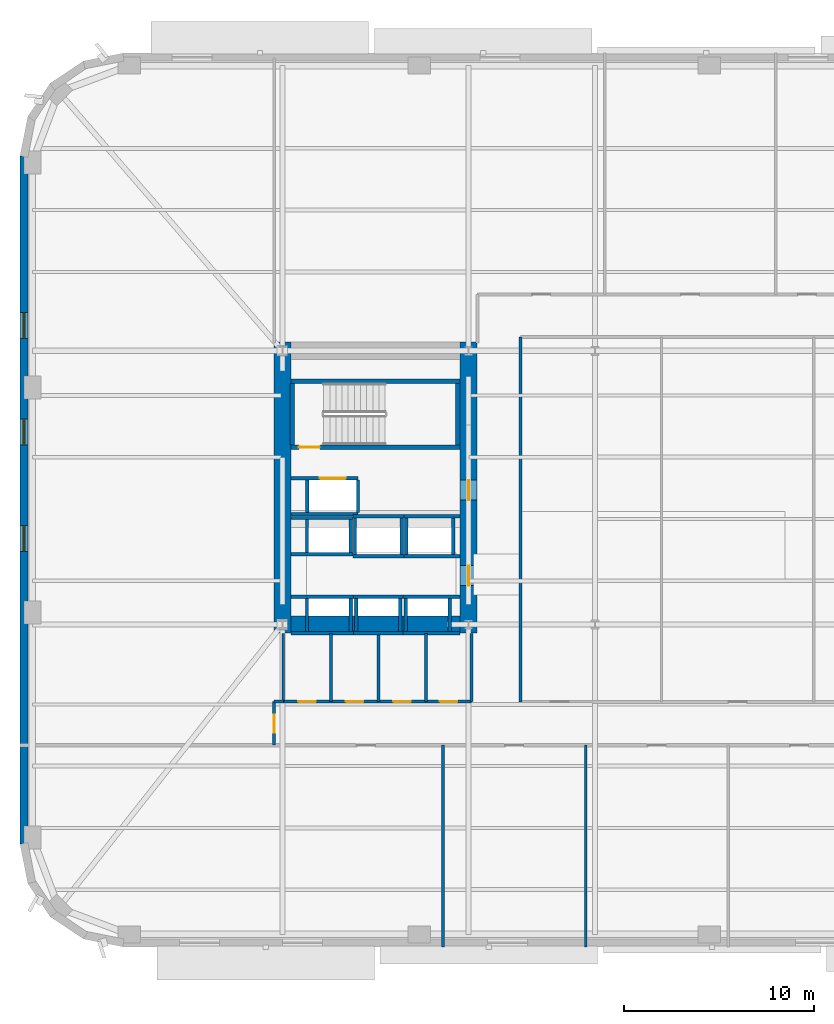
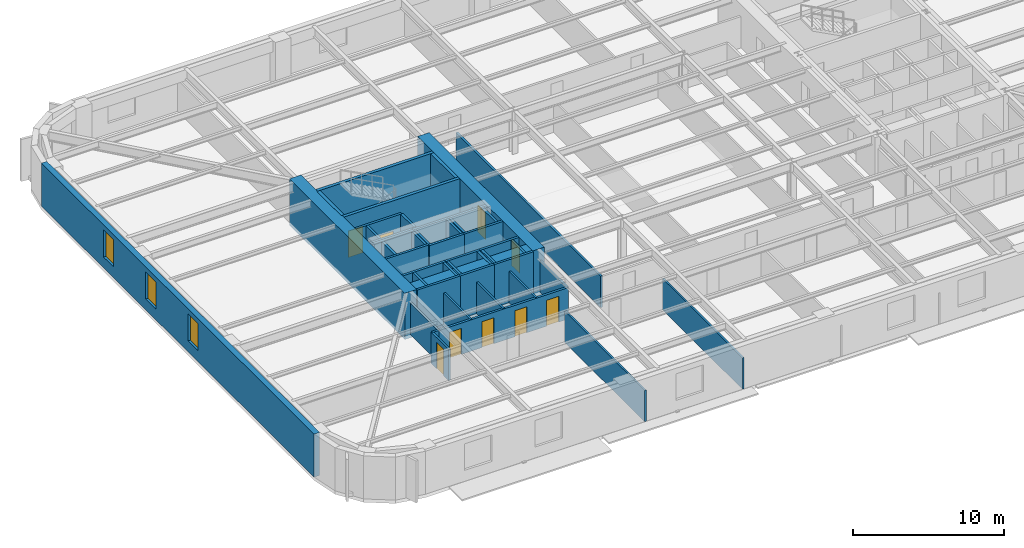
# One storey, part 4 of 15: 47 walls, 9 doors, 3 windows, 12 openings.
"""IFC4 building model written with IfcOpenShell, lengths in metres."""

from ifc_helpers import new_model, si_unit, direction, frame, frame_2d, origin, place, context, subcontext, project, spatial, rectangle, extrude, material, layer, layer_set, type_object, element, fill, save


model = new_model("IFC4")

# Units and contexts
model_context = context("Model", 3, precision=1e-05, world=origin(), true_north=direction((0.0, 1.0)))
body_context = subcontext(model_context, "Body", "Model", "MODEL_VIEW")
ifc_project = project(units=[si_unit("LENGTHUNIT", "METRE"), si_unit("AREAUNIT", "SQUARE_METRE"), si_unit("VOLUMEUNIT", "CUBIC_METRE"), si_unit("PLANEANGLEUNIT", "RADIAN"), si_unit("MASSUNIT", "GRAM", prefix="KILO")], contexts=[model_context])

# Site, building, storey
site_placement = place(None, origin())
site = spatial("IfcSite", under=ifc_project, at=site_placement, CompositionType="ELEMENT")
building_placement = place(site_placement, origin())
building = spatial("IfcBuilding", under=site, at=building_placement, Name="Kolvaren Arena Tower", CompositionType="ELEMENT")
storey_placement = place(building_placement, frame((0.0, 0.0, 72.0)))
storey = spatial("IfcBuildingStorey", under=building, at=storey_placement, Name="L15", CompositionType="ELEMENT", Elevation=72.0)

# Wall
ifc_material_1 = material(Name="Gypsum board acoustic assembly", Category="gypsum")
ifc_layer_1 = layer(ifc_material_1, 0.159912109375)
ifc_layer_set_1 = layer_set([ifc_layer_1], Name="Gypsum board acoustic assembly")
wall_type_1 = type_object("IfcWallType", Name="CORR-160", PredefinedType="PARTITIONING", material=ifc_layer_set_1)
wall_1_placement = place(storey_placement, frame((27.080078125, 15.3798828125, 0.0), z_axis=(0.0, 0.0, 1.0), x_axis=(0.0, 1.0, 0.0)))
element("IfcWall", 1, at=wall_1_placement, inside=storey, type_object=wall_type_1, Name="Interior Partition Wall (L15)", PredefinedType="PARTITIONING", context=body_context, shape_type="SweptSolid", body=[
    extrude(rectangle(XDim=19.2001953125, YDim=0.159912109375, at=frame_2d((9.60009765625, 0.0))), origin(), (0.0, 0.0, 1.0), 2.5400390625),
])

# Wall, opening, door
wall_2_placement = place(storey_placement, frame((14.1201171875, 13.10009765625, 0.0), z_axis=(0.0, 0.0, 1.0), x_axis=(0.0, 1.0, 0.0)))
wall_2 = element("IfcWall", 2, at=wall_2_placement, inside=storey, type_object=wall_type_1, Name="Interior Partition Wall (L15)", PredefinedType="PARTITIONING", context=body_context, shape_type="SweptSolid", body=[
    extrude(rectangle(XDim=2.2998046875, YDim=0.159912109375, at=frame_2d((1.14990234375, 0.0))), origin(), (0.0, 0.0, 1.0), 2.5400390625),
])
opening_1_placement = place(wall_2_placement, frame((0.64990234375, 0.0, 0.0)))
opening_1 = element("IfcOpeningElement", 3, at=opening_1_placement, cuts=wall_2, Name="Opening D05", PredefinedType="OPENING", context=body_context, shape_type="SweptSolid", body=[
    extrude(rectangle(XDim=0.949951171875, YDim=2.14990234375, at=frame_2d((0.47509765625, 1.074951171875))), frame((0.0, 0.08984375, 0.0), z_axis=(0.0, -1.0, 0.0), x_axis=(1.0, 0.0, 0.0)), (0.0, 0.0, 1.0), 0.179931640625),
])
ifc_material_2 = material(Name="Solid-core oak acoustic office door", Category="wood")
door_type_1 = type_object("IfcDoorType", Name="DOOR-OF-095", OperationType="NOTDEFINED", PredefinedType="DOOR", material=ifc_material_2)
door_1_placement = place(opening_1_placement, origin())
door_1 = element("IfcDoor", 4, at=door_1_placement, inside=storey, type_object=door_type_1, Name="West Wing Office Door (L15)", OperationType="SINGLE_SWING_LEFT", OverallHeight=2.14990234375, OverallWidth=0.949951171875, PredefinedType="DOOR", context=body_context, shape_type="SweptSolid", body=[
    extrude(rectangle(XDim=0.949951171875, YDim=2.14990234375, at=frame_2d((0.47509765625, 1.074951171875))), frame((0.0, 0.02490234375, 0.0), z_axis=(0.0, -1.0, 0.0), x_axis=(1.0, 0.0, 0.0)), (0.0, 0.0, 1.0), 0.050048828125),
])
fill(opening_1, door_1)

# Walls
wall_3_placement = place(storey_placement, frame((14.1201171875, 15.39990234375, 0.0), z_axis=(0.0, 0.0, 1.0), x_axis=(1.0, 0.0, 0.0)))
element("IfcWall", 5, at=wall_3_placement, inside=storey, type_object=wall_type_1, Name="Interior Partition Wall (L15)", PredefinedType="PARTITIONING", context=body_context, shape_type="SweptSolid", body=[
    extrude(rectangle(XDim=0.5, YDim=0.159912109375, at=frame_2d((0.25, 0.0))), origin(), (0.0, 0.0, 1.0), 2.5400390625),
])
ifc_material_3 = material(Name="Concrete 80 MPa", Category="concrete")
ifc_layer_2 = layer(ifc_material_3, 0.89990234375)
ifc_layer_set_2 = layer_set([ifc_layer_2], Name="Concrete 80 MPa")
wall_type_2 = type_object("IfcWallType", Name="CWALL-900", PredefinedType="SHEAR", material=ifc_layer_set_2)
wall_4_placement = place(storey_placement, frame((14.550048828125, 19.0, -0.27001953125), z_axis=(0.0, 0.0, 1.0), x_axis=(0.0, 1.0, 0.0)))
element("IfcWall", 6, at=wall_4_placement, inside=storey, type_object=wall_type_2, Name="Core Shear Wall WC-WEST (L15)", PredefinedType="SHEAR", context=body_context, shape_type="SweptSolid", body=[
    extrude(rectangle(XDim=15.300048828125, YDim=0.89990234375, at=frame_2d((7.64990234375, 0.0))), origin(), (0.0, 0.0, 1.0), 3.75),
])

# Wall, openings, doors
wall_5_placement = place(storey_placement, frame((24.35009765625, 19.0, -0.27001953125), z_axis=(0.0, 0.0, 1.0), x_axis=(0.0, 1.0, 0.0)))
wall_5 = element("IfcWall", 7, at=wall_5_placement, inside=storey, type_object=wall_type_2, Name="Core Shear Wall WC-EAST (L15)", PredefinedType="SHEAR", context=body_context, shape_type="SweptSolid", body=[
    extrude(rectangle(XDim=15.300048828125, YDim=0.89990234375, at=frame_2d((7.64990234375, 0.0))), origin(), (0.0, 0.0, 1.0), 3.75),
])
opening_2_placement = place(wall_5_placement, frame((2.5, 0.0, 0.27001953125)))
opening_2 = element("IfcOpeningElement", 8, at=opening_2_placement, cuts=wall_5, Name="Opening D04", PredefinedType="OPENING", context=body_context, shape_type="SweptSolid", body=[
    extrude(rectangle(XDim=1.050048828125, YDim=2.14990234375, at=frame_2d((0.52490234375, 1.074951171875))), frame((0.0, 0.4599609375, 0.0), z_axis=(0.0, -1.0, 0.0), x_axis=(1.0, 0.0, 0.0)), (0.0, 0.0, 1.0), 0.919921875),
])
opening_3_placement = place(wall_5_placement, frame((7.0, 0.0, 0.27001953125)))
opening_3 = element("IfcOpeningElement", 9, at=opening_3_placement, cuts=wall_5, Name="Opening D04", PredefinedType="OPENING", context=body_context, shape_type="SweptSolid", body=[
    extrude(rectangle(XDim=1.050048828125, YDim=2.14990234375, at=frame_2d((0.52490234375, 1.074951171875))), frame((0.0, 0.4599609375, 0.0), z_axis=(0.0, -1.0, 0.0), x_axis=(1.0, 0.0, 0.0)), (0.0, 0.0, 1.0), 0.919921875),
])
ifc_material_4 = material(Name="Fire-rated steel lobby door", Category="steel")
door_type_2 = type_object("IfcDoorType", Name="DOOR-FF-105", OperationType="NOTDEFINED", PredefinedType="DOOR", material=ifc_material_4)
door_2_placement = place(opening_2_placement, origin())
door_2 = element("IfcDoor", 10, at=door_2_placement, inside=storey, type_object=door_type_2, Name="West Lift Lobby Fire Door (L15)", OperationType="SINGLE_SWING_LEFT", OverallHeight=2.14990234375, OverallWidth=1.050048828125, PredefinedType="DOOR", context=body_context, shape_type="SweptSolid", body=[
    extrude(rectangle(XDim=1.050048828125, YDim=2.14990234375, at=frame_2d((0.52490234375, 1.074951171875))), frame((0.0, 0.02490234375, 0.0), z_axis=(0.0, -1.0, 0.0), x_axis=(1.0, 0.0, 0.0)), (0.0, 0.0, 1.0), 0.050048828125),
])
fill(opening_2, door_2)
door_3_placement = place(opening_3_placement, origin())
door_3 = element("IfcDoor", 11, at=door_3_placement, inside=storey, type_object=door_type_2, Name="West Firefighter Vestibule Door (L15)", OperationType="SINGLE_SWING_RIGHT", OverallHeight=2.14990234375, OverallWidth=1.050048828125, PredefinedType="DOOR", context=body_context, shape_type="SweptSolid", body=[
    extrude(rectangle(XDim=1.050048828125, YDim=2.14990234375, at=frame_2d((0.52490234375, 1.074951171875))), frame((0.0, 0.02490234375, 0.0), z_axis=(0.0, -1.0, 0.0), x_axis=(1.0, 0.0, 0.0)), (0.0, 0.0, 1.0), 0.050048828125),
])
fill(opening_3, door_3)

# Wall
wall_6_placement = place(storey_placement, frame((15.0, 19.449951171875, -0.27001953125), z_axis=(0.0, 0.0, 1.0), x_axis=(1.0, 0.0, 0.0)))
element("IfcWall", 12, at=wall_6_placement, inside=storey, type_object=wall_type_2, Name="Core Shear Wall WC-SOUTH (L15)", PredefinedType="SHEAR", context=body_context, shape_type="SweptSolid", body=[
    extrude(rectangle(XDim=8.89990234375, YDim=0.89990234375, at=frame_2d((4.449951171875, 0.0))), origin(), (0.0, 0.0, 1.0), 3.75),
])

# Wall, openings, windows
ifc_material_5 = material(Name="Precast concrete C50/60", Category="concrete")
ifc_layer_3 = layer(ifc_material_5, 0.419921875)
ifc_layer_set_3 = layer_set([ifc_layer_3], Name="Precast concrete C50/60")
wall_type_3 = type_object("IfcWallType", Name="EXT-PIER1", PredefinedType="SOLIDWALL", material=ifc_layer_set_3)
wall_7_placement = place(storey_placement, frame((0.9599609375, 7.89990234375, 0.0), z_axis=(0.0, 0.0, 1.0), x_axis=(0.0, 1.0, 0.0)))
wall_7 = element("IfcWall", 13, at=wall_7_placement, inside=storey, type_object=wall_type_3, Name="Exterior Precast Masonry-Frame Wall (L15)", PredefinedType="SOLIDWALL", context=body_context, shape_type="SweptSolid", body=[
    extrude(rectangle(XDim=36.2001953125, YDim=0.419921875, at=frame_2d((18.10009765625, 0.0))), origin(), (0.0, 0.0, 1.0), 3.47998046875),
])
opening_4_placement = place(wall_7_placement, frame((15.39990234375, 0.0, 0.8798828125)))
opening_4 = element("IfcOpeningElement", 14, at=opening_4_placement, cuts=wall_7, Name="Opening W04", PredefinedType="OPENING", context=body_context, shape_type="SweptSolid", body=[
    extrude(rectangle(XDim=1.35009765625, YDim=2.199951171875, at=frame_2d((0.675048828125, 1.10009765625))), frame((0.0, 0.219970703125, 0.0), z_axis=(0.0, -1.0, 0.0), x_axis=(1.0, 0.0, 0.0)), (0.0, 0.0, 1.0), 0.43994140625),
])
opening_5_placement = place(wall_7_placement, frame((21.0, 0.0, 0.8798828125)))
opening_5 = element("IfcOpeningElement", 15, at=opening_5_placement, cuts=wall_7, Name="Opening W04", PredefinedType="OPENING", context=body_context, shape_type="SweptSolid", body=[
    extrude(rectangle(XDim=1.35009765625, YDim=2.199951171875, at=frame_2d((0.675048828125, 1.10009765625))), frame((0.0, 0.219970703125, 0.0), z_axis=(0.0, -1.0, 0.0), x_axis=(1.0, 0.0, 0.0)), (0.0, 0.0, 1.0), 0.43994140625),
])
opening_6_placement = place(wall_7_placement, frame((26.60009765625, 0.0, 0.8798828125)))
opening_6 = element("IfcOpeningElement", 16, at=opening_6_placement, cuts=wall_7, Name="Opening W04", PredefinedType="OPENING", context=body_context, shape_type="SweptSolid", body=[
    extrude(rectangle(XDim=1.35009765625, YDim=2.199951171875, at=frame_2d((0.675048828125, 1.10009765625))), frame((0.0, 0.219970703125, 0.0), z_axis=(0.0, -1.0, 0.0), x_axis=(1.0, 0.0, 0.0)), (0.0, 0.0, 1.0), 0.43994140625),
])
ifc_material_6 = material(Name="Triple-glazed curved-facet corner window", Category="glass")
window_type = type_object("IfcWindowType", Name="WIN-CRN-A", PartitioningType="SINGLE_PANEL", PredefinedType="WINDOW", material=ifc_material_6)
window_1_placement = place(opening_4_placement, origin())
window_1 = element("IfcWindow", 17, at=window_1_placement, inside=storey, type_object=window_type, Name="End-Wall Punched Window (L15)", OverallHeight=2.199951171875, OverallWidth=1.35009765625, PartitioningType="SINGLE_PANEL", PredefinedType="WINDOW", context=body_context, shape_type="SweptSolid", body=[
    extrude(rectangle(XDim=1.35009765625, YDim=2.199951171875, at=frame_2d((0.675048828125, 1.10009765625))), frame((0.0, 0.030029296875, 0.0), z_axis=(0.0, -1.0, 0.0), x_axis=(1.0, 0.0, 0.0)), (0.0, 0.0, 1.0), 0.06005859375),
])
fill(opening_4, window_1)
window_2_placement = place(opening_5_placement, origin())
window_2 = element("IfcWindow", 18, at=window_2_placement, inside=storey, type_object=window_type, Name="End-Wall Punched Window (L15)", OverallHeight=2.199951171875, OverallWidth=1.35009765625, PartitioningType="SINGLE_PANEL", PredefinedType="WINDOW", context=body_context, shape_type="SweptSolid", body=[
    extrude(rectangle(XDim=1.35009765625, YDim=2.199951171875, at=frame_2d((0.675048828125, 1.10009765625))), frame((0.0, 0.030029296875, 0.0), z_axis=(0.0, -1.0, 0.0), x_axis=(1.0, 0.0, 0.0)), (0.0, 0.0, 1.0), 0.06005859375),
])
fill(opening_5, window_2)
window_3_placement = place(opening_6_placement, origin())
window_3 = element("IfcWindow", 19, at=window_3_placement, inside=storey, type_object=window_type, Name="End-Wall Punched Window (L15)", OverallHeight=2.199951171875, OverallWidth=1.35009765625, PartitioningType="SINGLE_PANEL", PredefinedType="WINDOW", context=body_context, shape_type="SweptSolid", body=[
    extrude(rectangle(XDim=1.35009765625, YDim=2.199951171875, at=frame_2d((0.675048828125, 1.10009765625))), frame((0.0, 0.030029296875, 0.0), z_axis=(0.0, -1.0, 0.0), x_axis=(1.0, 0.0, 0.0)), (0.0, 0.0, 1.0), 0.06005859375),
])
fill(opening_6, window_3)

# Walls
ifc_material_7 = material(Name="Gypsum board partition assembly", Category="gypsum")
ifc_layer_4 = layer(ifc_material_7, 0.135009765625)
ifc_layer_set_4 = layer_set([ifc_layer_4], Name="Gypsum board partition assembly")
wall_type_4 = type_object("IfcWallType", Name="PART-135", PredefinedType="PARTITIONING", material=ifc_layer_set_4)
for number, where, z_axis, x_axis, name in (
    (20, (23.0, 2.5, 0.0), (0.0, 0.0, 1.0), (0.0, 1.0, 0.0), "Interior Partition Wall (L15)"),
    (21, (30.5, 2.5, 0.0), (0.0, 0.0, 1.0), (0.0, 1.0, 0.0), "Interior Partition Wall (L15)"),
):
    element("IfcWall", number, at=place(storey_placement, frame(where, z_axis=z_axis, x_axis=x_axis)), inside=storey, type_object=wall_type_4, Name=name, PredefinedType="PARTITIONING", context=body_context, shape_type="SweptSolid", body=[
        extrude(rectangle(XDim=10.60009765625, YDim=0.135009765625, at=frame_2d((5.300048828125, 0.0))), origin(), (0.0, 0.0, 1.0), 2.5400390625),
    ])

# Wall, opening, door
ifc_material_8 = material(Name="Concrete 45 MPa", Category="concrete")
ifc_layer_5 = layer(ifc_material_8, 0.25)
ifc_layer_set_5 = layer_set([ifc_layer_5], Name="Concrete 45 MPa")
wall_type_5 = type_object("IfcWallType", Name="SHAFT-250", PredefinedType="SOLIDWALL", material=ifc_layer_set_5)
wall_8_placement = place(storey_placement, frame((23.89990234375, 28.780029296875, 0.0), z_axis=(0.0, 0.0, 1.0), x_axis=(-1.0, 0.0, 0.0)))
wall_8 = element("IfcWall", 22, at=wall_8_placement, inside=storey, type_object=wall_type_5, Name="Core Shaft Wall (L15)", PredefinedType="SOLIDWALL", context=body_context, shape_type="SweptSolid", body=[
    extrude(rectangle(XDim=8.89990234375, YDim=0.239990234375, at=frame_2d((4.449951171875, 0.0))), origin(), (0.0, 0.0, 1.0), 3.47998046875),
])
opening_7_placement = place(wall_8_placement, frame((7.3798828125, 0.0, 0.0)))
opening_7 = element("IfcOpeningElement", 23, at=opening_7_placement, cuts=wall_8, Name="Opening D03", PredefinedType="OPENING", context=body_context, shape_type="SweptSolid", body=[
    extrude(rectangle(XDim=1.10009765625, YDim=2.14990234375, at=frame_2d((0.550048828125, 1.074951171875))), frame((0.0, 0.1298828125, 0.0), z_axis=(0.0, -1.0, 0.0), x_axis=(1.0, 0.0, 0.0)), (0.0, 0.0, 1.0), 0.260009765625),
])
ifc_material_9 = material(Name="Fire-rated steel exit stair door", Category="steel")
door_type_3 = type_object("IfcDoorType", Name="DOOR-ST-110", OperationType="NOTDEFINED", PredefinedType="DOOR", material=ifc_material_9)
door_4_placement = place(opening_7_placement, origin())
door_4 = element("IfcDoor", 24, at=door_4_placement, inside=storey, type_object=door_type_3, Name="Stair ST-W1 Fire Door (L15)", OperationType="SINGLE_SWING_RIGHT", OverallHeight=2.14990234375, OverallWidth=1.10009765625, PredefinedType="DOOR", context=body_context, shape_type="SweptSolid", body=[
    extrude(rectangle(XDim=1.10009765625, YDim=2.14990234375, at=frame_2d((0.550048828125, 1.074951171875))), frame((0.0, 0.02490234375, 0.0), z_axis=(0.0, -1.0, 0.0), x_axis=(1.0, 0.0, 0.0)), (0.0, 0.0, 1.0), 0.050048828125),
])
fill(opening_7, door_4)

# Walls
wall_9_placement = place(storey_placement, frame((15.0, 32.25, 0.0), z_axis=(0.0, 0.0, 1.0), x_axis=(1.0, 0.0, 0.0)))
element("IfcWall", 25, at=wall_9_placement, inside=storey, type_object=wall_type_5, Name="Core Shaft Wall (L15)", PredefinedType="SOLIDWALL", context=body_context, shape_type="SweptSolid", body=[
    extrude(rectangle(XDim=8.89990234375, YDim=0.239990234375, at=frame_2d((4.449951171875, 0.0))), origin(), (0.0, 0.0, 1.0), 3.47998046875),
])
for number, where, z_axis, x_axis, name in (
    (26, (15.06005859375, 28.89990234375, 0.0), (0.0, 0.0, 1.0), (0.0, 1.0, 0.0), "Core Shaft Wall (L15)"),
    (27, (23.780029296875, 28.89990234375, 0.0), (0.0, 0.0, 1.0), (0.0, 1.0, 0.0), "Core Shaft Wall (L15)"),
):
    element("IfcWall", number, at=place(storey_placement, frame(where, z_axis=z_axis, x_axis=x_axis)), inside=storey, type_object=wall_type_5, Name=name, PredefinedType="SOLIDWALL", context=body_context, shape_type="SweptSolid", body=[
        extrude(rectangle(XDim=3.22998046875, YDim=0.239990234375, at=frame_2d((1.614990234375, 0.0))), origin(), (0.0, 0.0, 1.0), 3.47998046875),
    ])
for number, where, z_axis, x_axis, name in (
    (28, (15.0, 20.905029296875, 0.0), (0.0, 0.0, 1.0), (1.0, 0.0, 0.0), "Core Shaft Wall (L15)"),
    (29, (15.0, 18.9951171875, 0.0), (0.0, 0.0, 1.0), (1.0, 0.0, 0.0), "Core Shaft Wall (L15)"),
):
    element("IfcWall", number, at=place(storey_placement, frame(where, z_axis=z_axis, x_axis=x_axis)), inside=storey, type_object=wall_type_5, Name=name, PredefinedType="SOLIDWALL", context=body_context, shape_type="SweptSolid", body=[
        extrude(rectangle(XDim=3.300048828125, YDim=0.179931640625, at=frame_2d((1.64990234375, 0.0))), origin(), (0.0, 0.0, 1.0), 3.47998046875),
    ])
for number, where, z_axis, x_axis, name in (
    (30, (15.844970703125, 19.0849609375, 0.0), (0.0, 0.0, 1.0), (0.0, 1.0, 0.0), "Core Shaft Wall (L15)"),
    (31, (18.155029296875, 19.0849609375, 0.0), (0.0, 0.0, 1.0), (0.0, 1.0, 0.0), "Core Shaft Wall (L15)"),
):
    element("IfcWall", number, at=place(storey_placement, frame(where, z_axis=z_axis, x_axis=x_axis)), inside=storey, type_object=wall_type_5, Name=name, PredefinedType="SOLIDWALL", context=body_context, shape_type="SweptSolid", body=[
        extrude(rectangle(XDim=1.72998046875, YDim=0.179931640625, at=frame_2d((0.864990234375, 0.0))), origin(), (0.0, 0.0, 1.0), 3.47998046875),
    ])
for number, where, z_axis, x_axis, name in (
    (32, (18.300048828125, 20.905029296875, 0.0), (0.0, 0.0, 1.0), (1.0, 0.0, 0.0), "Core Shaft Wall (L15)"),
    (33, (18.300048828125, 18.9951171875, 0.0), (0.0, 0.0, 1.0), (1.0, 0.0, 0.0), "Core Shaft Wall (L15)"),
):
    element("IfcWall", number, at=place(storey_placement, frame(where, z_axis=z_axis, x_axis=x_axis)), inside=storey, type_object=wall_type_5, Name=name, PredefinedType="SOLIDWALL", context=body_context, shape_type="SweptSolid", body=[
        extrude(rectangle(XDim=2.599853515625, YDim=0.179931640625, at=frame_2d((1.2998046875, 0.0))), origin(), (0.0, 0.0, 1.0), 3.47998046875),
    ])
for number, where, z_axis, x_axis, name in (
    (34, (18.445068359375, 19.0849609375, 0.0), (0.0, 0.0, 1.0), (0.0, 1.0, 0.0), "Core Shaft Wall (L15)"),
    (35, (20.7548828125, 19.0849609375, 0.0), (0.0, 0.0, 1.0), (0.0, 1.0, 0.0), "Core Shaft Wall (L15)"),
):
    element("IfcWall", number, at=place(storey_placement, frame(where, z_axis=z_axis, x_axis=x_axis)), inside=storey, type_object=wall_type_5, Name=name, PredefinedType="SOLIDWALL", context=body_context, shape_type="SweptSolid", body=[
        extrude(rectangle(XDim=1.72998046875, YDim=0.179931640625, at=frame_2d((0.864990234375, 0.0))), origin(), (0.0, 0.0, 1.0), 3.47998046875),
    ])
for number, where, z_axis, x_axis, name in (
    (36, (20.89990234375, 20.905029296875, 0.0), (0.0, 0.0, 1.0), (1.0, 0.0, 0.0), "Core Shaft Wall (L15)"),
    (37, (20.89990234375, 18.9951171875, 0.0), (0.0, 0.0, 1.0), (1.0, 0.0, 0.0), "Core Shaft Wall (L15)"),
):
    element("IfcWall", number, at=place(storey_placement, frame(where, z_axis=z_axis, x_axis=x_axis)), inside=storey, type_object=wall_type_5, Name=name, PredefinedType="SOLIDWALL", context=body_context, shape_type="SweptSolid", body=[
        extrude(rectangle(XDim=3.0, YDim=0.179931640625, at=frame_2d((1.5, 0.0))), origin(), (0.0, 0.0, 1.0), 3.47998046875),
    ])
for number, where, z_axis, x_axis, name in (
    (38, (21.044921875, 19.0849609375, 0.0), (0.0, 0.0, 1.0), (0.0, 1.0, 0.0), "Core Shaft Wall (L15)"),
    (39, (23.35498046875, 19.0849609375, 0.0), (0.0, 0.0, 1.0), (0.0, 1.0, 0.0), "Core Shaft Wall (L15)"),
):
    element("IfcWall", number, at=place(storey_placement, frame(where, z_axis=z_axis, x_axis=x_axis)), inside=storey, type_object=wall_type_5, Name=name, PredefinedType="SOLIDWALL", context=body_context, shape_type="SweptSolid", body=[
        extrude(rectangle(XDim=1.72998046875, YDim=0.179931640625, at=frame_2d((0.864990234375, 0.0))), origin(), (0.0, 0.0, 1.0), 3.47998046875),
    ])
for number, where, z_axis, x_axis, name in (
    (40, (15.0, 25.054931640625, 0.0), (0.0, 0.0, 1.0), (1.0, 0.0, 0.0), "Core Shaft Wall (L15)"),
    (41, (15.0, 23.14501953125, 0.0), (0.0, 0.0, 1.0), (1.0, 0.0, 0.0), "Core Shaft Wall (L15)"),
):
    element("IfcWall", number, at=place(storey_placement, frame(where, z_axis=z_axis, x_axis=x_axis)), inside=storey, type_object=wall_type_5, Name=name, PredefinedType="SOLIDWALL", context=body_context, shape_type="SweptSolid", body=[
        extrude(rectangle(XDim=3.262451171875, YDim=0.179931640625, at=frame_2d((1.63134765625, 0.0))), origin(), (0.0, 0.0, 1.0), 3.47998046875),
    ])
for number, where, z_axis, x_axis, name in (
    (42, (15.844970703125, 23.235107421875, 0.0), (0.0, 0.0, 1.0), (0.0, 1.0, 0.0), "Core Shaft Wall (L15)"),
    (43, (18.155029296875, 23.235107421875, 0.0), (0.0, 0.0, 1.0), (0.0, 1.0, 0.0), "Core Shaft Wall (L15)"),
):
    element("IfcWall", number, at=place(storey_placement, frame(where, z_axis=z_axis, x_axis=x_axis)), inside=storey, type_object=wall_type_5, Name=name, PredefinedType="SOLIDWALL", context=body_context, shape_type="SweptSolid", body=[
        extrude(rectangle(XDim=1.72998046875, YDim=0.179931640625, at=frame_2d((0.864990234375, 0.0))), origin(), (0.0, 0.0, 1.0), 3.47998046875),
    ])
for number, where, z_axis, x_axis, name in (
    (44, (18.262451171875, 25.155029296875, 0.0), (0.0, 0.0, 1.0), (1.0, 0.0, 0.0), "Core Shaft Wall (L15)"),
    (45, (18.262451171875, 23.044921875, 0.0), (0.0, 0.0, 1.0), (1.0, 0.0, 0.0), "Core Shaft Wall (L15)"),
):
    element("IfcWall", number, at=place(storey_placement, frame(where, z_axis=z_axis, x_axis=x_axis)), inside=storey, type_object=wall_type_5, Name=name, PredefinedType="SOLIDWALL", context=body_context, shape_type="SweptSolid", body=[
        extrude(rectangle(XDim=2.6875, YDim=0.179931640625, at=frame_2d((1.34375, 0.0))), origin(), (0.0, 0.0, 1.0), 3.47998046875),
    ])
for number, where, z_axis, x_axis, name in (
    (46, (18.3701171875, 23.135009765625, 0.0), (0.0, 0.0, 1.0), (0.0, 1.0, 0.0), "Core Shaft Wall (L15)"),
    (47, (20.830078125, 23.135009765625, 0.0), (0.0, 0.0, 1.0), (0.0, 1.0, 0.0), "Core Shaft Wall (L15)"),
):
    element("IfcWall", number, at=place(storey_placement, frame(where, z_axis=z_axis, x_axis=x_axis)), inside=storey, type_object=wall_type_5, Name=name, PredefinedType="SOLIDWALL", context=body_context, shape_type="SweptSolid", body=[
        extrude(rectangle(XDim=1.929931640625, YDim=0.179931640625, at=frame_2d((0.96484375, 0.0))), origin(), (0.0, 0.0, 1.0), 3.47998046875),
    ])
for number, where, z_axis, x_axis, name in (
    (48, (20.949951171875, 25.155029296875, 0.0), (0.0, 0.0, 1.0), (1.0, 0.0, 0.0), "Core Shaft Wall (L15)"),
    (49, (20.949951171875, 23.044921875, 0.0), (0.0, 0.0, 1.0), (1.0, 0.0, 0.0), "Core Shaft Wall (L15)"),
):
    element("IfcWall", number, at=place(storey_placement, frame(where, z_axis=z_axis, x_axis=x_axis)), inside=storey, type_object=wall_type_5, Name=name, PredefinedType="SOLIDWALL", context=body_context, shape_type="SweptSolid", body=[
        extrude(rectangle(XDim=2.949951171875, YDim=0.179931640625, at=frame_2d((1.47509765625, 0.0))), origin(), (0.0, 0.0, 1.0), 3.47998046875),
    ])
for number, where, z_axis, x_axis, name in (
    (50, (21.070068359375, 23.135009765625, 0.0), (0.0, 0.0, 1.0), (0.0, 1.0, 0.0), "Core Shaft Wall (L15)"),
    (51, (23.530029296875, 23.135009765625, 0.0), (0.0, 0.0, 1.0), (0.0, 1.0, 0.0), "Core Shaft Wall (L15)"),
):
    element("IfcWall", number, at=place(storey_placement, frame(where, z_axis=z_axis, x_axis=x_axis)), inside=storey, type_object=wall_type_5, Name=name, PredefinedType="SOLIDWALL", context=body_context, shape_type="SweptSolid", body=[
        extrude(rectangle(XDim=1.929931640625, YDim=0.179931640625, at=frame_2d((0.96484375, 0.0))), origin(), (0.0, 0.0, 1.0), 3.47998046875),
    ])

# Wall, opening, door
wall_10_placement = place(storey_placement, frame((15.0, 27.155029296875, 0.0), z_axis=(0.0, 0.0, 1.0), x_axis=(1.0, 0.0, 0.0)))
wall_10 = element("IfcWall", 52, at=wall_10_placement, inside=storey, type_object=wall_type_5, Name="Core Shaft Wall (L15)", PredefinedType="SOLIDWALL", context=body_context, shape_type="SweptSolid", body=[
    extrude(rectangle(XDim=3.530029296875, YDim=0.179931640625, at=frame_2d((1.76513671875, 0.0))), origin(), (0.0, 0.0, 1.0), 3.47998046875),
])
opening_8_placement = place(wall_10_placement, frame((1.52490234375, 0.0, 0.0)))
opening_8 = element("IfcOpeningElement", 53, at=opening_8_placement, cuts=wall_10, Name="Opening LD2", PredefinedType="OPENING", context=body_context, shape_type="SweptSolid", body=[
    extrude(rectangle(XDim=1.35009765625, YDim=2.300048828125, at=frame_2d((0.675048828125, 1.14990234375))), frame((0.0, 0.099853515625, 0.0), z_axis=(0.0, -1.0, 0.0), x_axis=(1.0, 0.0, 0.0)), (0.0, 0.0, 1.0), 0.199951171875),
])
ifc_material_10 = material(Name="Stainless steel firefighter lift landing door", Category="steel")
door_type_4 = type_object("IfcDoorType", Name="DOOR-LD-135", OperationType="DOUBLE_DOOR_SLIDING", PredefinedType="DOOR", material=ifc_material_10)
door_5_placement = place(opening_8_placement, origin())
door_5 = element("IfcDoor", 54, at=door_5_placement, inside=storey, type_object=door_type_4, Name="Firefighter Lift FF-W1 Landing Door (L15)", OperationType="DOUBLE_DOOR_SLIDING", OverallHeight=2.300048828125, OverallWidth=1.35009765625, PredefinedType="DOOR", context=body_context, shape_type="SweptSolid", body=[
    extrude(rectangle(XDim=1.35009765625, YDim=2.300048828125, at=frame_2d((0.675048828125, 1.14990234375))), frame((0.0, 0.02490234375, 0.0), z_axis=(0.0, -1.0, 0.0), x_axis=(1.0, 0.0, 0.0)), (0.0, 0.0, 1.0), 0.050048828125),
])
fill(opening_8, door_5)

# Walls
wall_11_placement = place(storey_placement, frame((15.0, 25.2451171875, 0.0), z_axis=(0.0, 0.0, 1.0), x_axis=(1.0, 0.0, 0.0)))
element("IfcWall", 55, at=wall_11_placement, inside=storey, type_object=wall_type_5, Name="Core Shaft Wall (L15)", PredefinedType="SOLIDWALL", context=body_context, shape_type="SweptSolid", body=[
    extrude(rectangle(XDim=3.530029296875, YDim=0.179931640625, at=frame_2d((1.76513671875, 0.0))), origin(), (0.0, 0.0, 1.0), 3.47998046875),
])
for number, where, z_axis, x_axis, name in (
    (56, (15.8701171875, 25.3349609375, 0.0), (0.0, 0.0, 1.0), (0.0, 1.0, 0.0), "Core Shaft Wall (L15)"),
    (57, (18.530029296875, 25.3349609375, 0.0), (0.0, 0.0, 1.0), (0.0, 1.0, 0.0), "Core Shaft Wall (L15)"),
):
    element("IfcWall", number, at=place(storey_placement, frame(where, z_axis=z_axis, x_axis=x_axis)), inside=storey, type_object=wall_type_5, Name=name, PredefinedType="SOLIDWALL", context=body_context, shape_type="SweptSolid", body=[
        extrude(rectangle(XDim=1.72998046875, YDim=0.179931640625, at=frame_2d((0.864990234375, 0.0))), origin(), (0.0, 0.0, 1.0), 3.47998046875),
    ])
ifc_material_11 = material(Name="Moisture-resistant gypsum assembly", Category="gypsum")
ifc_layer_6 = layer(ifc_material_11, 0.14990234375)
ifc_layer_set_6 = layer_set([ifc_layer_6], Name="Moisture-resistant gypsum assembly")
wall_type_6 = type_object("IfcWallType", Name="WETW-150", PredefinedType="PARTITIONING", material=ifc_layer_set_6)
for number, where, z_axis, x_axis, name in (
    (58, (17.10009765625, 15.39990234375, 0.0), (0.0, 0.0, 1.0), (0.0, 1.0, 0.0), "Interior Partition Wall (L15)"),
    (59, (19.60009765625, 15.39990234375, 0.0), (0.0, 0.0, 1.0), (0.0, 1.0, 0.0), "Interior Partition Wall (L15)"),
    (60, (22.10009765625, 15.39990234375, 0.0), (0.0, 0.0, 1.0), (0.0, 1.0, 0.0), "Interior Partition Wall (L15)"),
):
    element("IfcWall", number, at=place(storey_placement, frame(where, z_axis=z_axis, x_axis=x_axis)), inside=storey, type_object=wall_type_6, Name=name, PredefinedType="PARTITIONING", context=body_context, shape_type="SweptSolid", body=[
        extrude(rectangle(XDim=3.580078125, YDim=0.14990234375, at=frame_2d((1.7900390625, 0.0))), origin(), (0.0, 0.0, 1.0), 2.5400390625),
    ])

# Wall, openings, doors
wall_12_placement = place(storey_placement, frame((14.60009765625, 15.39990234375, 0.0), z_axis=(0.0, 0.0, 1.0), x_axis=(1.0, 0.0, 0.0)))
wall_12 = element("IfcWall", 61, at=wall_12_placement, inside=storey, type_object=wall_type_6, Name="Interior Partition Wall (L15)", PredefinedType="PARTITIONING", context=body_context, shape_type="SweptSolid", body=[
    extrude(rectangle(XDim=9.89990234375, YDim=0.179931640625, at=frame_2d((4.949951171875, 0.0))), origin(), (0.0, 0.0, 1.0), 2.5400390625),
])
opening_9_placement = place(wall_12_placement, frame((0.7900390625, 0.0, 0.0)))
opening_9 = element("IfcOpeningElement", 62, at=opening_9_placement, cuts=wall_12, Name="Opening D07", PredefinedType="OPENING", context=body_context, shape_type="SweptSolid", body=[
    extrude(rectangle(XDim=0.919921875, YDim=2.10009765625, at=frame_2d((0.4599609375, 1.050048828125))), frame((0.0, 0.099853515625, 0.0), z_axis=(0.0, -1.0, 0.0), x_axis=(1.0, 0.0, 0.0)), (0.0, 0.0, 1.0), 0.199951171875),
])
opening_10_placement = place(wall_12_placement, frame((3.2900390625, 0.0, 0.0)))
opening_10 = element("IfcOpeningElement", 63, at=opening_10_placement, cuts=wall_12, Name="Opening D07", PredefinedType="OPENING", context=body_context, shape_type="SweptSolid", body=[
    extrude(rectangle(XDim=0.919921875, YDim=2.10009765625, at=frame_2d((0.4599609375, 1.050048828125))), frame((0.0, 0.099853515625, 0.0), z_axis=(0.0, -1.0, 0.0), x_axis=(1.0, 0.0, 0.0)), (0.0, 0.0, 1.0), 0.199951171875),
])
opening_11_placement = place(wall_12_placement, frame((5.7900390625, 0.0, 0.0)))
opening_11 = element("IfcOpeningElement", 64, at=opening_11_placement, cuts=wall_12, Name="Opening D07", PredefinedType="OPENING", context=body_context, shape_type="SweptSolid", body=[
    extrude(rectangle(XDim=0.919921875, YDim=2.10009765625, at=frame_2d((0.4599609375, 1.050048828125))), frame((0.0, 0.099853515625, 0.0), z_axis=(0.0, -1.0, 0.0), x_axis=(1.0, 0.0, 0.0)), (0.0, 0.0, 1.0), 0.199951171875),
])
opening_12_placement = place(wall_12_placement, frame((8.239990234375, 0.0, 0.0)))
opening_12 = element("IfcOpeningElement", 65, at=opening_12_placement, cuts=wall_12, Name="Opening D07", PredefinedType="OPENING", context=body_context, shape_type="SweptSolid", body=[
    extrude(rectangle(XDim=0.919921875, YDim=2.10009765625, at=frame_2d((0.4599609375, 1.050048828125))), frame((0.0, 0.099853515625, 0.0), z_axis=(0.0, -1.0, 0.0), x_axis=(1.0, 0.0, 0.0)), (0.0, 0.0, 1.0), 0.199951171875),
])
ifc_material_12 = material(Name="Laminate universal washroom door", Category="wood")
door_type_5 = type_object("IfcDoorType", Name="DOOR-WC-092", OperationType="NOTDEFINED", PredefinedType="DOOR", material=ifc_material_12)
door_6_placement = place(opening_9_placement, origin())
door_6 = element("IfcDoor", 66, at=door_6_placement, inside=storey, type_object=door_type_5, Name="Women Restroom Door (L15)", OperationType="SINGLE_SWING_LEFT", OverallHeight=2.10009765625, OverallWidth=0.919921875, PredefinedType="DOOR", context=body_context, shape_type="SweptSolid", body=[
    extrude(rectangle(XDim=0.919921875, YDim=2.10009765625, at=frame_2d((0.4599609375, 1.050048828125))), frame((0.0, 0.02490234375, 0.0), z_axis=(0.0, -1.0, 0.0), x_axis=(1.0, 0.0, 0.0)), (0.0, 0.0, 1.0), 0.050048828125),
])
fill(opening_9, door_6)
door_7_placement = place(opening_10_placement, origin())
door_7 = element("IfcDoor", 67, at=door_7_placement, inside=storey, type_object=door_type_5, Name="Men Restroom Door (L15)", OperationType="SINGLE_SWING_RIGHT", OverallHeight=2.10009765625, OverallWidth=0.919921875, PredefinedType="DOOR", context=body_context, shape_type="SweptSolid", body=[
    extrude(rectangle(XDim=0.919921875, YDim=2.10009765625, at=frame_2d((0.4599609375, 1.050048828125))), frame((0.0, 0.02490234375, 0.0), z_axis=(0.0, -1.0, 0.0), x_axis=(1.0, 0.0, 0.0)), (0.0, 0.0, 1.0), 0.050048828125),
])
fill(opening_10, door_7)
door_8_placement = place(opening_11_placement, origin())
door_8 = element("IfcDoor", 68, at=door_8_placement, inside=storey, type_object=door_type_5, Name="Universal Barrier-Free Washroom Door (L15)", OperationType="SINGLE_SWING_LEFT", OverallHeight=2.10009765625, OverallWidth=0.919921875, PredefinedType="DOOR", context=body_context, shape_type="SweptSolid", body=[
    extrude(rectangle(XDim=0.919921875, YDim=2.10009765625, at=frame_2d((0.4599609375, 1.050048828125))), frame((0.0, 0.02490234375, 0.0), z_axis=(0.0, -1.0, 0.0), x_axis=(1.0, 0.0, 0.0)), (0.0, 0.0, 1.0), 0.050048828125),
])
fill(opening_11, door_8)
door_9_placement = place(opening_12_placement, origin())
door_9 = element("IfcDoor", 69, at=door_9_placement, inside=storey, type_object=door_type_5, Name="Linen Store Door (L15)", OperationType="SINGLE_SWING_RIGHT", OverallHeight=2.10009765625, OverallWidth=0.919921875, PredefinedType="DOOR", context=body_context, shape_type="SweptSolid", body=[
    extrude(rectangle(XDim=0.919921875, YDim=2.10009765625, at=frame_2d((0.4599609375, 1.050048828125))), frame((0.0, 0.02490234375, 0.0), z_axis=(0.0, -1.0, 0.0), x_axis=(1.0, 0.0, 0.0)), (0.0, 0.0, 1.0), 0.050048828125),
])
fill(opening_12, door_9)

# Walls
for number, where, z_axis, x_axis, name in (
    (70, (14.60009765625, 15.39990234375, 0.0), (0.0, 0.0, 1.0), (0.0, 1.0, 0.0), "Interior Partition Wall (L15)"),
    (71, (24.5, 15.39990234375, 0.0), (0.0, 0.0, 1.0), (0.0, 1.0, 0.0), "Interior Partition Wall (L15)"),
):
    element("IfcWall", number, at=place(storey_placement, frame(where, z_axis=z_axis, x_axis=x_axis)), inside=storey, type_object=wall_type_6, Name=name, PredefinedType="PARTITIONING", context=body_context, shape_type="SweptSolid", body=[
        extrude(rectangle(XDim=3.580078125, YDim=0.14990234375, at=frame_2d((1.7900390625, 0.0))), origin(), (0.0, 0.0, 1.0), 2.5400390625),
    ])

save(model, "model.ifc")
